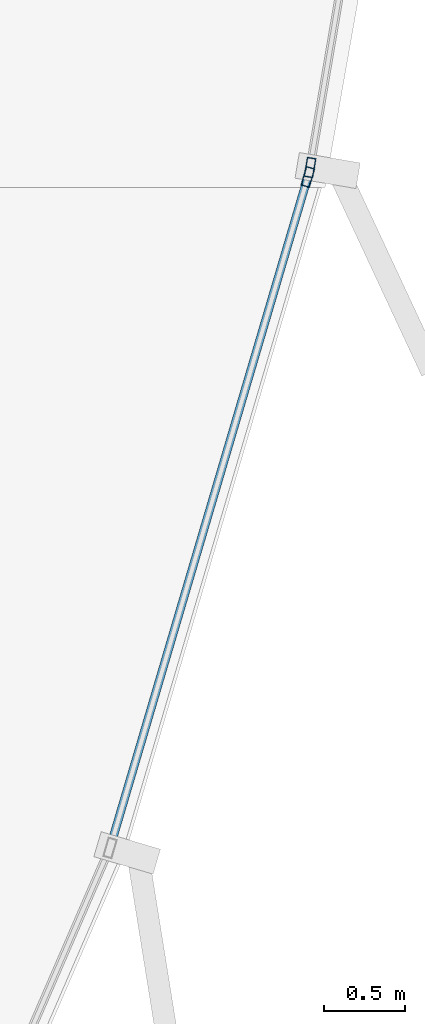
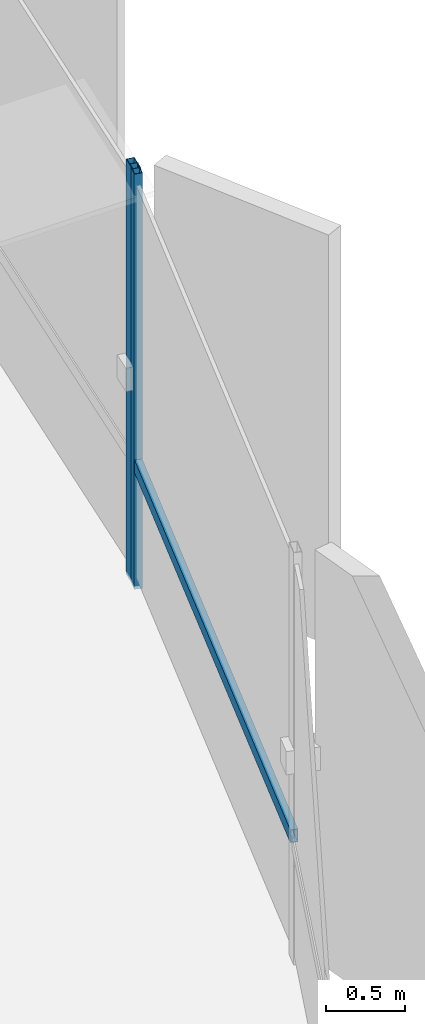
# One storey, part 15 of 33: 3 members, 2 elements without a shape of their own.
"""IFC4 building model written with IfcOpenShell, lengths in metres."""

from ifc_helpers import new_model, si_unit, direction, frame, origin, origin_2d, place, context, subcontext, project, spatial, hollow_rectangle, extrude, source, transform, mapped, material, layer, layer_set, material_profile, profile_set, type_object, element, aggregate, save


model = new_model("IFC4")

# Units and contexts
model_context = context("Model", 3, precision=1e-05, world=origin(), true_north=direction((0.0, 1.0)))
body_context = subcontext(model_context, "Body", "Model", "MODEL_VIEW")
ifc_project = project(units=[si_unit("LENGTHUNIT", "METRE"), si_unit("AREAUNIT", "SQUARE_METRE"), si_unit("VOLUMEUNIT", "CUBIC_METRE"), si_unit("PLANEANGLEUNIT", "RADIAN"), si_unit("MASSUNIT", "GRAM", prefix="KILO"), si_unit("THERMODYNAMICTEMPERATUREUNIT", "KELVIN")], contexts=[model_context])

# Site, building, storey
site_placement = place(None, origin())
site = spatial("IfcSite", under=ifc_project, at=site_placement, CompositionType="ELEMENT")
building_placement = place(site_placement, origin())
building = spatial("IfcBuilding", under=site, at=building_placement, Name="Kethvar Cultural Tower", CompositionType="ELEMENT")
storey_placement = place(building_placement, frame((0.0, 0.0, 256.0)))
storey = spatial("IfcBuildingStorey", under=building, at=storey_placement, Name="L67", CompositionType="ELEMENT", Elevation=256.0)

# Curtain wall, member
ifc_material = material(Name="Aluminium 6063-T6", Category="aluminium")
ifc_layer = layer(ifc_material, 0.179931640625, Name="Aluminium 6063-T6", Category="aluminium")
ifc_layer_set = layer_set([ifc_layer], Name="Aluminium 6063-T6 (180 mm)")
curtain_wall_type = type_object("IfcCurtainWallType", Name="CW-SYS-05-Z56", PredefinedType="NOTDEFINED", material=ifc_layer_set)
curtain_wall_1_placement = place(storey_placement, origin())
curtain_wall_1 = element("IfcCurtainWall", 1, at=curtain_wall_1_placement, inside=storey, type_object=curtain_wall_type, Name="L67 Curtain Wall Run 05", PredefinedType="NOTDEFINED")
ifc_material_profile_1 = material_profile(ifc_material, hollow_rectangle(XDim=0.054931640625, YDim=0.1201171875, WallThickness=0.00390625, at=origin_2d()), Name="Aluminium 6063-T6 — RHS120x55x4")
ifc_profile_set_1 = profile_set([ifc_material_profile_1], Name="Aluminium 6063-T6 — RHS120x55x4")
member_type_1 = type_object("IfcMemberType", Name="CW-SYS-05-Z56-MUL", PredefinedType="MULLION", material=ifc_profile_set_1)
shared_shape_1 = source(origin(), body_context, "Body", "SweptSolid", [
    extrude(hollow_rectangle(XDim=0.054931640625, YDim=0.1201171875, WallThickness=0.00390625, at=origin_2d()), origin(), (0.0, 0.0, 1.0), 3.2099609375),
])
member_1_placement = place(storey_placement, frame((67.099609375, 28.449951171875, 0.0), z_axis=(0.0, 0.0, 1.0), x_axis=(-0.959166009405, 0.28284371374, 0.0)))
member_1 = element("IfcMember", 2, at=member_1_placement, type_object=member_type_1, Name="CW-L67-R05 Mullion 7", PredefinedType="MULLION", context=body_context, shape_type="MappedRepresentation", body=[
    mapped(shared_shape_1, transform((0.0, 0.0, 0.0), scale=1.0)),
])

curtain_wall_2_placement = place(storey_placement, origin())
curtain_wall_2 = element("IfcCurtainWall", 3, at=curtain_wall_2_placement, inside=storey, type_object=curtain_wall_type, Name="L67 Curtain Wall Run 06", PredefinedType="NOTDEFINED")
member_2_placement = place(storey_placement, frame((67.113037109375, 28.508056640625, 0.0), z_axis=(0.0, 0.0, 1.0), x_axis=(-0.985797417571, 0.167938832644, 0.0)))
member_2 = element("IfcMember", 4, at=member_2_placement, type_object=member_type_1, Name="CW-L67-R06 Mullion 1", PredefinedType="MULLION", context=body_context, shape_type="MappedRepresentation", body=[
    mapped(shared_shape_1, transform((0.0, 0.0, 0.0), scale=1.0)),
])
aggregate(curtain_wall_2, [member_2])

# Member
ifc_material_profile_2 = material_profile(ifc_material, hollow_rectangle(XDim=0.050048828125, YDim=0.10009765625, WallThickness=0.00390625, at=origin_2d()), Name="Aluminium 6063-T6 — RHS100x50x4")
ifc_profile_set_2 = profile_set([ifc_material_profile_2], Name="Aluminium 6063-T6 — RHS100x50x4")
member_type_2 = type_object("IfcMemberType", Name="CW-SYS-05-Z56-TRN", PredefinedType="USERDEFINED", material=ifc_profile_set_2)
shared_shape_2 = source(origin(), body_context, "Body", "SweptSolid", [
    extrude(hollow_rectangle(XDim=0.050048828125, YDim=0.10009765625, WallThickness=0.00390625, at=origin_2d()), origin(), (0.0, 0.0, 1.0), 4.2568359375),
])
member_3_placement = place(storey_placement, frame((65.89453125, 24.36328125, 0.949951171875), z_axis=(0.282809019227, 0.959176239616, 0.0), x_axis=(-0.959176239616, 0.282809019227, 0.0)))
member_3 = element("IfcMember", 5, at=member_3_placement, type_object=member_type_2, Name="CW-L67-R05 Transom 6", ObjectType="TRANSOM", PredefinedType="USERDEFINED", context=body_context, shape_type="MappedRepresentation", body=[
    mapped(shared_shape_2, transform((0.0, 0.0, 0.0), scale=1.0)),
])

aggregate(curtain_wall_1, [member_1, member_3])

save(model, "model.ifc")
